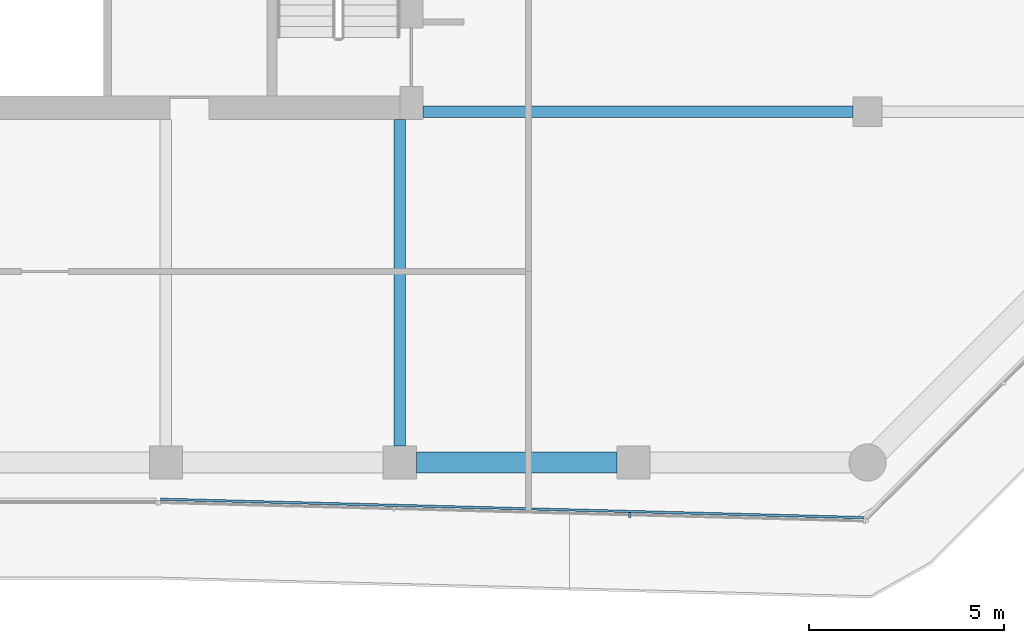
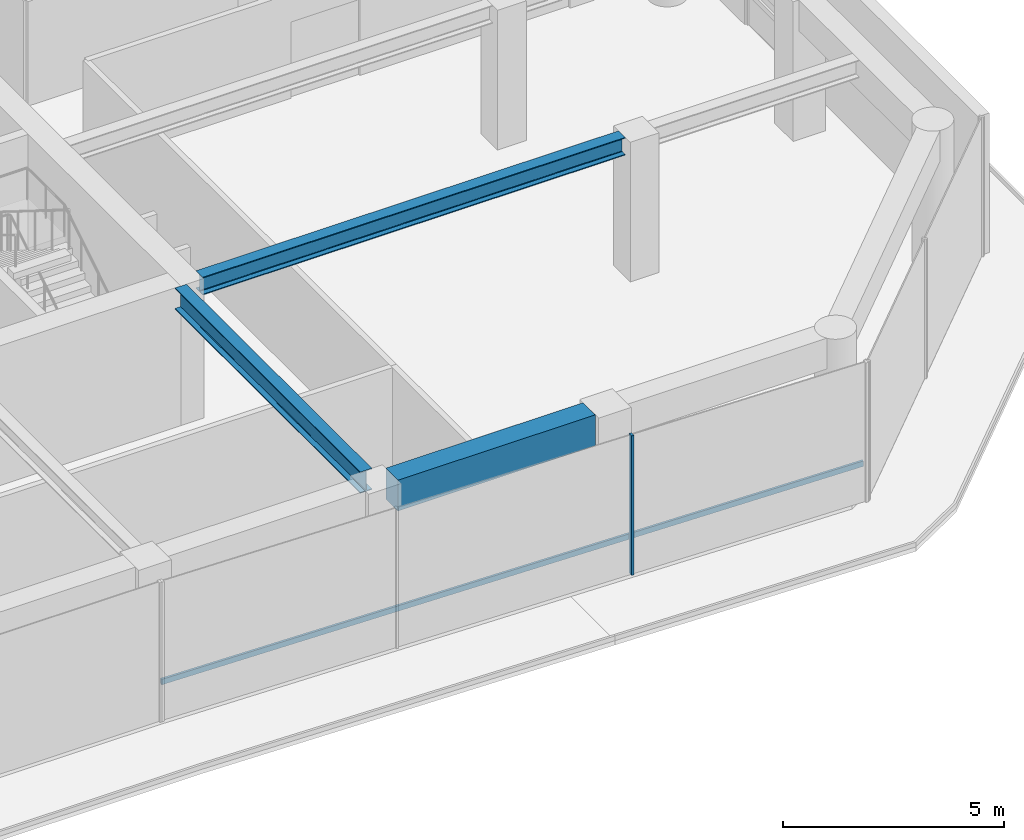
# One storey, part 3 of 19: 3 beams, 2 members, 1 element without a shape of its own.
"""IFC4 building model written with IfcOpenShell, lengths in metres."""

from ifc_helpers import new_model, si_unit, direction, frame, origin, origin_2d, place, context, subcontext, project, spatial, rectangle, i_section, extrude, material, layer, layer_set, material_profile, profile_set, type_object, element, aggregate, save


model = new_model("IFC4")

# Units and contexts
model_context = context("Model", 3, precision=1e-05, world=origin(), true_north=direction((0.0, 1.0)))
body_context = subcontext(model_context, "Body", "Model", "MODEL_VIEW")
ifc_project = project(units=[si_unit("LENGTHUNIT", "METRE"), si_unit("AREAUNIT", "SQUARE_METRE"), si_unit("VOLUMEUNIT", "CUBIC_METRE"), si_unit("PLANEANGLEUNIT", "RADIAN"), si_unit("MASSUNIT", "GRAM", prefix="KILO")], contexts=[model_context])

# Site, building, storey
site_placement = place(None, origin())
site = spatial("IfcSite", under=ifc_project, at=site_placement, CompositionType="ELEMENT")
building_placement = place(site_placement, origin())
building = spatial("IfcBuilding", under=site, at=building_placement, Name="Welwitschia Terrace Campus", CompositionType="ELEMENT")
storey_placement = place(building_placement, frame((0.0, 0.0, 163.39990234375)))
storey = spatial("IfcBuildingStorey", under=building, at=storey_placement, Name="L36", CompositionType="ELEMENT", Elevation=163.39990234375)

# Beam
ifc_material_1 = material(Name="Steel S355", Category="steel")
ifc_material_profile_1 = material_profile(ifc_material_1, i_section(OverallWidth=0.300048828125, OverallDepth=0.489990234375, WebThickness=0.011962890625, FlangeThickness=0.02294921875, FilletRadius=0.027099609375, at=origin_2d()))
ifc_profile_set_1 = profile_set([ifc_material_profile_1], Name="Steel S355")
beam_type_1 = type_object("IfcBeamType", Name="Interior girder HE 500 A", PredefinedType="BEAM", material=ifc_profile_set_1)
beam_1_placement = place(storey_placement, frame((24.60107421875, 5.0, 3.60498046875), z_axis=(1.0, 0.0, 0.0), x_axis=(0.0, 1.0, 0.0)))
element("IfcBeam", 1, at=beam_1_placement, inside=storey, type_object=beam_type_1, Name="Girder GB4", PredefinedType="BEAM", context=body_context, shape_type="SweptSolid", body=[
    extrude(i_section(OverallWidth=0.300048828125, OverallDepth=0.489990234375, WebThickness=0.011962890625, FlangeThickness=0.02294921875, FilletRadius=0.027099609375, at=origin_2d()), origin(), (0.0, 0.0, 1.0), 11.0234375),
])

# Curtain wall, member
ifc_material_2 = material(Name="Bronze anodised aluminium", Category="aluminium")
ifc_layer = layer(ifc_material_2, 0.1201171875)
ifc_layer_set = layer_set([ifc_layer], Name="Bronze anodised aluminium")
curtain_wall_type = type_object("IfcCurtainWallType", Name="Curtain wall CW2 tower 6000", PredefinedType="NOTDEFINED", material=ifc_layer_set)
curtain_wall_placement = place(storey_placement, origin())
curtain_wall = element("IfcCurtainWall", 2, at=curtain_wall_placement, inside=storey, type_object=curtain_wall_type, Name="CW L36.4.0", PredefinedType="NOTDEFINED")
ifc_material_3 = material(Name="Bronze anodised aluminium", Category="aluminium")
ifc_material_profile_2 = material_profile(ifc_material_3, rectangle(XDim=0.1201171875, YDim=0.06005859375, at=origin_2d()))
ifc_profile_set_2 = profile_set([ifc_material_profile_2], Name="Bronze anodised aluminium")
member_type_1 = type_object("IfcMemberType", Name="Mullion 60x120", PredefinedType="MULLION", material=ifc_profile_set_2)
member_1_placement = place(storey_placement, frame((29.901611328125, -5.346923828125, 0.0), z_axis=(0.0, 0.0, 1.0), x_axis=(0.026176948308, 0.999657324976, 0.0)))
member_1 = element("IfcMember", 3, at=member_1_placement, type_object=member_type_1, Name="Mullion L36.4.0.2", PredefinedType="MULLION", context=body_context, shape_type="SweptSolid", body=[
    extrude(rectangle(XDim=0.1201171875, YDim=0.06005859375, at=origin_2d()), origin(), (0.0, 0.0, 1.0), 3.85009765625),
])

# Beams
ifc_material_4 = material(Name="Steel S355", Category="steel")
ifc_material_profile_3 = material_profile(ifc_material_4, i_section(OverallWidth=0.300048828125, OverallDepth=0.590087890625, WebThickness=0.012939453125, FlangeThickness=0.02490234375, FilletRadius=0.027099609375, at=origin_2d()))
ifc_profile_set_3 = profile_set([ifc_material_profile_3], Name="Steel S355")
beam_type_2 = type_object("IfcBeamType", Name="Primary beam HE 600 A", PredefinedType="BEAM", material=ifc_profile_set_3)
beam_2_placement = place(storey_placement, frame((24.0, -3.574462890625, 3.55517578125), z_axis=(0.0, 1.0, 0.0), x_axis=(-1.0, 0.0, 0.0)))
element("IfcBeam", 4, at=beam_2_placement, inside=storey, type_object=beam_type_2, Name="Primary beam PB4", PredefinedType="BEAM", context=body_context, shape_type="SweptSolid", body=[
    extrude(i_section(OverallWidth=0.300048828125, OverallDepth=0.590087890625, WebThickness=0.012939453125, FlangeThickness=0.02490234375, FilletRadius=0.027099609375, at=origin_2d()), origin(), (0.0, 0.0, 1.0), 8.37451171875),
])
ifc_material_5 = material(Name="Concrete C50/60", Category="concrete")
ifc_material_profile_4 = material_profile(ifc_material_5, rectangle(XDim=0.550048828125, YDim=0.85009765625, at=origin_2d()))
ifc_profile_set_4 = profile_set([ifc_material_profile_4], Name="Concrete C50/60")
beam_type_3 = type_object("IfcBeamType", Name="Ring spandrel 550x850", PredefinedType="SPANDREL", material=ifc_profile_set_4)
beam_3_placement = place(storey_placement, frame((24.425537109375, -4.0, 3.425048828125), z_axis=(1.0, 0.0, 0.0), x_axis=(0.0, 1.0, 0.0)))
element("IfcBeam", 5, at=beam_3_placement, inside=storey, type_object=beam_type_3, Name="Spandrel SP3", PredefinedType="SPANDREL", context=body_context, shape_type="SweptSolid", body=[
    extrude(rectangle(XDim=0.550048828125, YDim=0.85009765625, at=origin_2d()), origin(), (0.0, 0.0, 1.0), 5.14892578125),
])

# Member
ifc_material_6 = material(Name="Bronze anodised aluminium", Category="aluminium")
ifc_material_profile_5 = material_profile(ifc_material_6, rectangle(XDim=0.06005859375, YDim=0.14990234375, at=origin_2d()))
ifc_profile_set_5 = profile_set([ifc_material_profile_5], Name="Bronze anodised aluminium")
member_type_2 = type_object("IfcMemberType", Name="Transom 60x150", PredefinedType="USERDEFINED", material=ifc_profile_set_5)
member_2_placement = place(storey_placement, frame((17.8642578125, -4.941650390625, 1.0), z_axis=(0.999657255588, -0.026179597995, 0.0), x_axis=(0.026179597995, 0.999657255588, 0.0)))
member_2 = element("IfcMember", 6, at=member_2_placement, type_object=member_type_2, Name="Transom L36.4.0", ObjectType="TRANSOM", PredefinedType="USERDEFINED", context=body_context, shape_type="SweptSolid", body=[
    extrude(rectangle(XDim=0.06005859375, YDim=0.14990234375, at=origin_2d()), origin(), (0.0, 0.0, 1.0), 18.03564453125),
])

aggregate(curtain_wall, [member_1, member_2])

save(model, "model.ifc")
